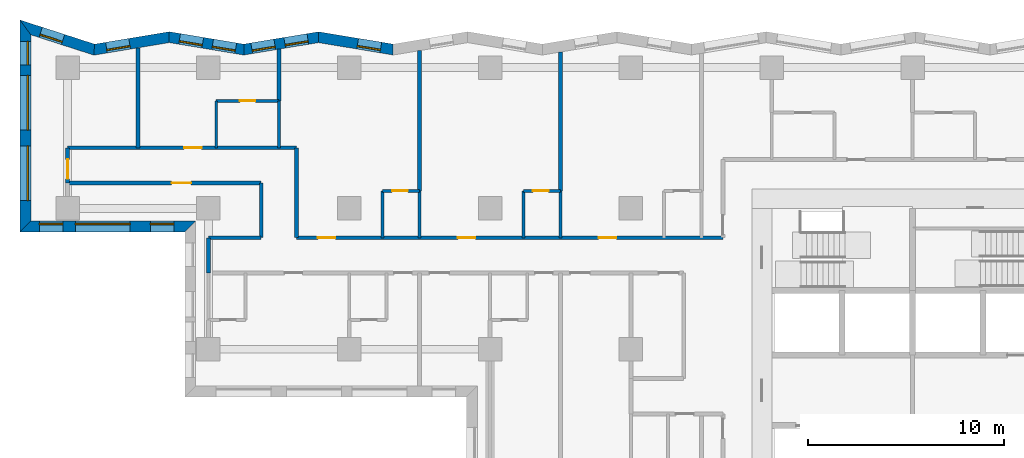
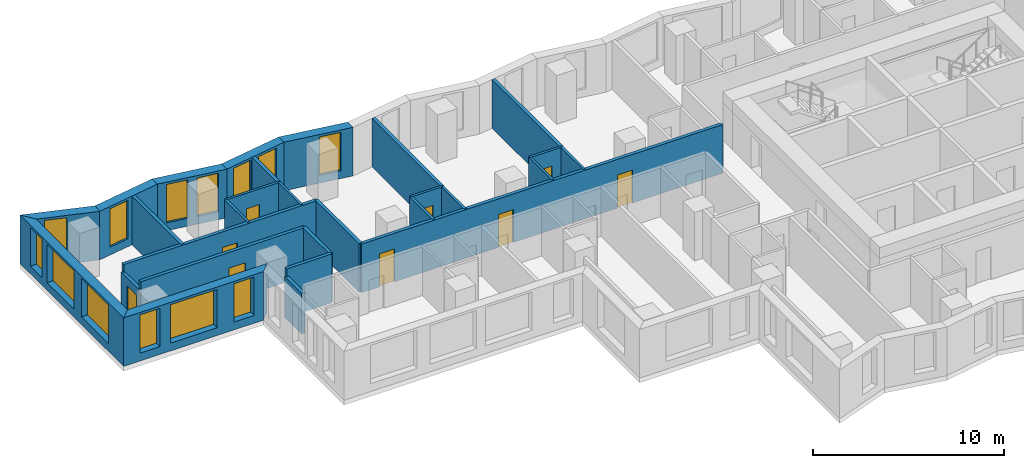
# One storey, part 4 of 13: 28 walls, 13 windows, 9 doors, 22 openings.
"""IFC4 building model written with IfcOpenShell, lengths in metres."""

from ifc_helpers import new_model, si_unit, direction, frame, frame_2d, origin, place, context, subcontext, project, spatial, polyline, rectangle, outline, extrude, material, layer, layer_set, type_object, element, fill, save


model = new_model("IFC4")

# Units and contexts
model_context = context("Model", 3, precision=1e-05, world=origin(), true_north=direction((0.0, 1.0)))
body_context = subcontext(model_context, "Body", "Model", "MODEL_VIEW")
ifc_project = project(units=[si_unit("LENGTHUNIT", "METRE"), si_unit("AREAUNIT", "SQUARE_METRE"), si_unit("VOLUMEUNIT", "CUBIC_METRE"), si_unit("PLANEANGLEUNIT", "RADIAN"), si_unit("MASSUNIT", "GRAM", prefix="KILO")], contexts=[model_context])

# Site, building, storey
site_placement = place(None, origin())
site = spatial("IfcSite", under=ifc_project, at=site_placement, CompositionType="ELEMENT")
building_placement = place(site_placement, origin())
building = spatial("IfcBuilding", under=site, at=building_placement, Name="Windrow Commons", CompositionType="ELEMENT")
storey_placement = place(building_placement, frame((0.0, 0.0, 64.4)))
storey = spatial("IfcBuildingStorey", under=building, at=storey_placement, Name="L17", CompositionType="ELEMENT", Elevation=64.4)

# Wall, opening, window
ifc_material_1 = material(Name="Brick masonry, red clay brick", Category="masonry")
ifc_layer_1 = layer(ifc_material_1, 0.55)
ifc_layer_set_1 = layer_set([ifc_layer_1], Name="Brick facade wall 550")
wall_type_1 = type_object("IfcWallType", Name="Brick facade wall 550", PredefinedType="SOLIDWALL", material=ifc_layer_set_1)
wall_1_placement = place(storey_placement, frame((38.2409, 72.9212, 0.0), z_axis=(0.0, 0.0, 1.0), x_axis=(-0.9865110911, 0.1636944324, 0.0)))
wall_1 = element("IfcWall", 1, at=wall_1_placement, inside=storey, type_object=wall_type_1, Name="Brick facade wall L17 34", PredefinedType="SOLIDWALL", context=body_context, shape_type="SweptSolid", body=[
    extrude(outline(polyline([(0.0456, -0.275), (3.9126, -0.275), (3.8213, 0.275), (-0.0456, 0.275), (0.0456, -0.275)])), origin(), (0.0, 0.0, 1.0), 3.1),
])
opening_1_placement = place(wall_1_placement, frame((0.6358, 0.0, 0.5)))
opening_1 = element("IfcOpeningElement", 2, at=opening_1_placement, cuts=wall_1, Name="Opening W7D", PredefinedType="OPENING", context=body_context, shape_type="SweptSolid", body=[
    extrude(rectangle(XDim=1.2, YDim=2.45, at=frame_2d((0.6, 1.225))), frame((0.0, 0.285, 0.0), z_axis=(0.0, -1.0, 0.0), x_axis=(1.0, 0.0, 0.0)), (0.0, 0.0, 1.0), 0.57),
])
ifc_material_2 = material(Name="Clear float glass in anodised aluminium frame", Category="aluminium")
window_type_1 = type_object("IfcWindowType", Name="Window W7 notch 1200x2450", PartitioningType="SINGLE_PANEL", PredefinedType="WINDOW", material=ifc_material_2)
window_1_placement = place(opening_1_placement, origin())
window_1 = element("IfcWindow", 3, at=window_1_placement, inside=storey, type_object=window_type_1, Name="Window L17 34.1", OverallHeight=2.45, OverallWidth=1.2, PartitioningType="SINGLE_PANEL", PredefinedType="WINDOW", context=body_context, shape_type="SweptSolid", body=[
    extrude(rectangle(XDim=1.2, YDim=2.45, at=frame_2d((0.6, 1.225))), frame((0.0, 0.155, 0.0), z_axis=(0.0, -1.0, 0.0), x_axis=(1.0, 0.0, 0.0)), (0.0, 0.0, 1.0), 0.06),
])
fill(opening_1, window_1)

# Wall, openings, windows
wall_2_placement = place(storey_placement, frame((34.4261, 73.5542, 0.0), z_axis=(0.0, 0.0, 1.0), x_axis=(-0.9865103981, -0.1636986085, 0.0)))
wall_2 = element("IfcWall", 4, at=wall_2_placement, inside=storey, type_object=wall_type_1, Name="Brick facade wall L17 35", PredefinedType="SOLIDWALL", context=body_context, shape_type="SweptSolid", body=[
    extrude(outline(polyline([(-0.0456, -0.275), (3.8213, -0.275), (3.9126, 0.275), (0.0456, 0.275), (-0.0456, -0.275)])), origin(), (0.0, 0.0, 1.0), 3.1),
])
opening_2_placement = place(wall_2_placement, frame((0.5497, 0.0, 0.5)))
opening_2 = element("IfcOpeningElement", 5, at=opening_2_placement, cuts=wall_2, Name="Opening W7D", PredefinedType="OPENING", context=body_context, shape_type="SweptSolid", body=[
    extrude(rectangle(XDim=1.2, YDim=2.45, at=frame_2d((0.6, 1.225))), frame((0.0, 0.285, 0.0), z_axis=(0.0, -1.0, 0.0), x_axis=(1.0, 0.0, 0.0)), (0.0, 0.0, 1.0), 0.57),
])
opening_3_placement = place(wall_2_placement, frame((2.2604, 0.0, 0.5)))
opening_3 = element("IfcOpeningElement", 6, at=opening_3_placement, cuts=wall_2, Name="Opening W7D", PredefinedType="OPENING", context=body_context, shape_type="SweptSolid", body=[
    extrude(rectangle(XDim=1.2, YDim=2.45, at=frame_2d((0.6, 1.225))), frame((0.0, 0.285, 0.0), z_axis=(0.0, -1.0, 0.0), x_axis=(1.0, 0.0, 0.0)), (0.0, 0.0, 1.0), 0.57),
])
window_2_placement = place(opening_2_placement, origin())
window_2 = element("IfcWindow", 7, at=window_2_placement, inside=storey, type_object=window_type_1, Name="Window L17 35.1", OverallHeight=2.45, OverallWidth=1.2, PartitioningType="SINGLE_PANEL", PredefinedType="WINDOW", context=body_context, shape_type="SweptSolid", body=[
    extrude(rectangle(XDim=1.2, YDim=2.45, at=frame_2d((0.6, 1.225))), frame((0.0, 0.155, 0.0), z_axis=(0.0, -1.0, 0.0), x_axis=(1.0, 0.0, 0.0)), (0.0, 0.0, 1.0), 0.06),
])
fill(opening_2, window_2)
window_3_placement = place(opening_3_placement, origin())
window_3 = element("IfcWindow", 8, at=window_3_placement, inside=storey, type_object=window_type_1, Name="Window L17 35.2", OverallHeight=2.45, OverallWidth=1.2, PartitioningType="SINGLE_PANEL", PredefinedType="WINDOW", context=body_context, shape_type="SweptSolid", body=[
    extrude(rectangle(XDim=1.2, YDim=2.45, at=frame_2d((0.6, 1.225))), frame((0.0, 0.155, 0.0), z_axis=(0.0, -1.0, 0.0), x_axis=(1.0, 0.0, 0.0)), (0.0, 0.0, 1.0), 0.06),
])
fill(opening_3, window_3)

wall_3_placement = place(storey_placement, frame((30.6114, 72.9212, 0.0), z_axis=(0.0, 0.0, 1.0), x_axis=(-0.9865110911, 0.1636944324, 0.0)))
wall_3 = element("IfcWall", 9, at=wall_3_placement, inside=storey, type_object=wall_type_1, Name="Brick facade wall L17 36", PredefinedType="SOLIDWALL", context=body_context, shape_type="SweptSolid", body=[
    extrude(outline(polyline([(0.0456, -0.275), (3.9126, -0.275), (3.8213, 0.275), (-0.0456, 0.275), (0.0456, -0.275)])), origin(), (0.0, 0.0, 1.0), 3.1),
])
opening_4_placement = place(wall_3_placement, frame((0.4181, 0.0, 0.5)))
opening_4 = element("IfcOpeningElement", 10, at=opening_4_placement, cuts=wall_3, Name="Opening W7D", PredefinedType="OPENING", context=body_context, shape_type="SweptSolid", body=[
    extrude(rectangle(XDim=1.2, YDim=2.45, at=frame_2d((0.6, 1.225))), frame((0.0, 0.285, 0.0), z_axis=(0.0, -1.0, 0.0), x_axis=(1.0, 0.0, 0.0)), (0.0, 0.0, 1.0), 0.57),
])
opening_5_placement = place(wall_3_placement, frame((2.1287, 0.0, 0.5)))
opening_5 = element("IfcOpeningElement", 11, at=opening_5_placement, cuts=wall_3, Name="Opening W7D", PredefinedType="OPENING", context=body_context, shape_type="SweptSolid", body=[
    extrude(rectangle(XDim=1.2, YDim=2.45, at=frame_2d((0.6, 1.225))), frame((0.0, 0.285, 0.0), z_axis=(0.0, -1.0, 0.0), x_axis=(1.0, 0.0, 0.0)), (0.0, 0.0, 1.0), 0.57),
])
window_4_placement = place(opening_4_placement, origin())
window_4 = element("IfcWindow", 12, at=window_4_placement, inside=storey, type_object=window_type_1, Name="Window L17 36.1", OverallHeight=2.45, OverallWidth=1.2, PartitioningType="SINGLE_PANEL", PredefinedType="WINDOW", context=body_context, shape_type="SweptSolid", body=[
    extrude(rectangle(XDim=1.2, YDim=2.45, at=frame_2d((0.6, 1.225))), frame((0.0, 0.155, 0.0), z_axis=(0.0, -1.0, 0.0), x_axis=(1.0, 0.0, 0.0)), (0.0, 0.0, 1.0), 0.06),
])
fill(opening_4, window_4)
window_5_placement = place(opening_5_placement, origin())
window_5 = element("IfcWindow", 13, at=window_5_placement, inside=storey, type_object=window_type_1, Name="Window L17 36.2", OverallHeight=2.45, OverallWidth=1.2, PartitioningType="SINGLE_PANEL", PredefinedType="WINDOW", context=body_context, shape_type="SweptSolid", body=[
    extrude(rectangle(XDim=1.2, YDim=2.45, at=frame_2d((0.6, 1.225))), frame((0.0, 0.155, 0.0), z_axis=(0.0, -1.0, 0.0), x_axis=(1.0, 0.0, 0.0)), (0.0, 0.0, 1.0), 0.06),
])
fill(opening_5, window_5)

# Wall, opening, window
wall_4_placement = place(storey_placement, frame((26.7966, 73.5542, 0.0), z_axis=(0.0, 0.0, 1.0), x_axis=(-0.9865146039, -0.1636732608, 0.0)))
wall_4 = element("IfcWall", 14, at=wall_4_placement, inside=storey, type_object=wall_type_1, Name="Brick facade wall L17 37", PredefinedType="SOLIDWALL", context=body_context, shape_type="SweptSolid", body=[
    extrude(outline(polyline([(-0.0456, -0.275), (3.8213, -0.275), (3.9551, 0.275), (0.0456, 0.275), (-0.0456, -0.275)])), origin(), (0.0, 0.0, 1.0), 3.1),
])
opening_6_placement = place(wall_4_placement, frame((2.0533, 0.0, 0.5)))
opening_6 = element("IfcOpeningElement", 15, at=opening_6_placement, cuts=wall_4, Name="Opening W7D", PredefinedType="OPENING", context=body_context, shape_type="SweptSolid", body=[
    extrude(rectangle(XDim=1.2, YDim=2.45, at=frame_2d((0.6, 1.225))), frame((0.0, 0.285, 0.0), z_axis=(0.0, -1.0, 0.0), x_axis=(1.0, 0.0, 0.0)), (0.0, 0.0, 1.0), 0.57),
])
window_6_placement = place(opening_6_placement, origin())
window_6 = element("IfcWindow", 16, at=window_6_placement, inside=storey, type_object=window_type_1, Name="Window L17 37.1", OverallHeight=2.45, OverallWidth=1.2, PartitioningType="SINGLE_PANEL", PredefinedType="WINDOW", context=body_context, shape_type="SweptSolid", body=[
    extrude(rectangle(XDim=1.2, YDim=2.45, at=frame_2d((0.6, 1.225))), frame((0.0, 0.155, 0.0), z_axis=(0.0, -1.0, 0.0), x_axis=(1.0, 0.0, 0.0)), (0.0, 0.0, 1.0), 0.06),
])
fill(opening_6, window_6)

wall_5_placement = place(storey_placement, frame((22.9608, 72.9178, 0.0), z_axis=(0.0, 0.0, 1.0), x_axis=(-0.9515343902, 0.3075423616, 0.0)))
wall_5 = element("IfcWall", 17, at=wall_5_placement, inside=storey, type_object=wall_type_1, Name="Brick facade wall L17 38", PredefinedType="SOLIDWALL", context=body_context, shape_type="SweptSolid", body=[
    extrude(outline(polyline([(0.0669, -0.275), (4.076, -0.275), (3.3202, 0.275), (-0.0669, 0.275), (0.0669, -0.275)])), origin(), (0.0, 0.0, 1.0), 3.1),
])
opening_7_placement = place(wall_5_placement, frame((1.6752, 0.0, 0.5)))
opening_7 = element("IfcOpeningElement", 18, at=opening_7_placement, cuts=wall_5, Name="Opening W7D", PredefinedType="OPENING", context=body_context, shape_type="SweptSolid", body=[
    extrude(rectangle(XDim=1.2, YDim=2.45, at=frame_2d((0.6, 1.225))), frame((0.0, 0.285, 0.0), z_axis=(0.0, -1.0, 0.0), x_axis=(1.0, 0.0, 0.0)), (0.0, 0.0, 1.0), 0.57),
])
window_7_placement = place(opening_7_placement, origin())
window_7 = element("IfcWindow", 19, at=window_7_placement, inside=storey, type_object=window_type_1, Name="Window L17 38.1", OverallHeight=2.45, OverallWidth=1.2, PartitioningType="SINGLE_PANEL", PredefinedType="WINDOW", context=body_context, shape_type="SweptSolid", body=[
    extrude(rectangle(XDim=1.2, YDim=2.45, at=frame_2d((0.6, 1.225))), frame((0.0, 0.155, 0.0), z_axis=(0.0, -1.0, 0.0), x_axis=(1.0, 0.0, 0.0)), (0.0, 0.0, 1.0), 0.06),
])
fill(opening_7, window_7)

# Wall, openings, windows
wall_6_placement = place(storey_placement, frame((19.442, 74.0551, 0.0), z_axis=(0.0, 0.0, 1.0), x_axis=(0.0, -1.0, 0.0)))
wall_6 = element("IfcWall", 20, at=wall_6_placement, inside=storey, type_object=wall_type_1, Name="Brick facade wall L17 39", PredefinedType="SOLIDWALL", context=body_context, shape_type="SweptSolid", body=[
    extrude(outline(polyline([(-0.3779, -0.275), (10.4551, -0.275), (9.9051, 0.275), (0.3779, 0.275), (-0.3779, -0.275)])), origin(), (0.0, 0.0, 1.0), 3.1),
])
opening_8_placement = place(wall_6_placement, frame((2.4551, 0.0, 0.5)))
opening_8 = element("IfcOpeningElement", 21, at=opening_8_placement, cuts=wall_6, Name="Opening W1T", PredefinedType="OPENING", context=body_context, shape_type="SweptSolid", body=[
    extrude(rectangle(XDim=2.8, YDim=2.45, at=frame_2d((1.4, 1.225))), frame((0.0, 0.285, 0.0), z_axis=(0.0, -1.0, 0.0), x_axis=(1.0, 0.0, 0.0)), (0.0, 0.0, 1.0), 0.57),
])
opening_9_placement = place(wall_6_placement, frame((6.0551, 0.0, 0.5)))
opening_9 = element("IfcOpeningElement", 22, at=opening_9_placement, cuts=wall_6, Name="Opening W1T", PredefinedType="OPENING", context=body_context, shape_type="SweptSolid", body=[
    extrude(rectangle(XDim=2.8, YDim=2.45, at=frame_2d((1.4, 1.225))), frame((0.0, 0.285, 0.0), z_axis=(0.0, -1.0, 0.0), x_axis=(1.0, 0.0, 0.0)), (0.0, 0.0, 1.0), 0.57),
])
opening_10_placement = place(wall_6_placement, frame((0.7165, 0.0, 0.5)))
opening_10 = element("IfcOpeningElement", 23, at=opening_10_placement, cuts=wall_6, Name="Opening W7D", PredefinedType="OPENING", context=body_context, shape_type="SweptSolid", body=[
    extrude(rectangle(XDim=1.2, YDim=2.45, at=frame_2d((0.6, 1.225))), frame((0.0, 0.285, 0.0), z_axis=(0.0, -1.0, 0.0), x_axis=(1.0, 0.0, 0.0)), (0.0, 0.0, 1.0), 0.57),
])
ifc_material_3 = material(Name="Clear float glass in anodised aluminium frame", Category="aluminium")
window_type_2 = type_object("IfcWindowType", Name="Window W1T bedroom 2800x2450", PartitioningType="SINGLE_PANEL", PredefinedType="WINDOW", material=ifc_material_3)
window_8_placement = place(opening_8_placement, origin())
window_8 = element("IfcWindow", 24, at=window_8_placement, inside=storey, type_object=window_type_2, Name="Window L17 39.1", OverallHeight=2.45, OverallWidth=2.8, PartitioningType="SINGLE_PANEL", PredefinedType="WINDOW", context=body_context, shape_type="SweptSolid", body=[
    extrude(rectangle(XDim=2.8, YDim=2.45, at=frame_2d((1.4, 1.225))), frame((0.0, 0.155, 0.0), z_axis=(0.0, -1.0, 0.0), x_axis=(1.0, 0.0, 0.0)), (0.0, 0.0, 1.0), 0.06),
])
fill(opening_8, window_8)
window_9_placement = place(opening_9_placement, origin())
window_9 = element("IfcWindow", 25, at=window_9_placement, inside=storey, type_object=window_type_2, Name="Window L17 39.2", OverallHeight=2.45, OverallWidth=2.8, PartitioningType="SINGLE_PANEL", PredefinedType="WINDOW", context=body_context, shape_type="SweptSolid", body=[
    extrude(rectangle(XDim=2.8, YDim=2.45, at=frame_2d((1.4, 1.225))), frame((0.0, 0.155, 0.0), z_axis=(0.0, -1.0, 0.0), x_axis=(1.0, 0.0, 0.0)), (0.0, 0.0, 1.0), 0.06),
])
fill(opening_9, window_9)
window_10_placement = place(opening_10_placement, origin())
window_10 = element("IfcWindow", 26, at=window_10_placement, inside=storey, type_object=window_type_1, Name="Window L17 39.3", OverallHeight=2.45, OverallWidth=1.2, PartitioningType="SINGLE_PANEL", PredefinedType="WINDOW", context=body_context, shape_type="SweptSolid", body=[
    extrude(rectangle(XDim=1.2, YDim=2.45, at=frame_2d((0.6, 1.225))), frame((0.0, 0.155, 0.0), z_axis=(0.0, -1.0, 0.0), x_axis=(1.0, 0.0, 0.0)), (0.0, 0.0, 1.0), 0.06),
])
fill(opening_10, window_10)

wall_7_placement = place(storey_placement, frame((19.442, 63.875, 0.0), z_axis=(0.0, 0.0, 1.0), x_axis=(1.0, 0.0, 0.0)))
wall_7 = element("IfcWall", 27, at=wall_7_placement, inside=storey, type_object=wall_type_1, Name="Brick facade wall L17 40", PredefinedType="SOLIDWALL", context=body_context, shape_type="SweptSolid", body=[
    extrude(outline(polyline([(-0.275, -0.275), (8.158, -0.275), (8.708, 0.275), (0.275, 0.275), (-0.275, -0.275)])), origin(), (0.0, 0.0, 1.0), 3.1),
])
opening_11_placement = place(wall_7_placement, frame((2.558, 0.0, 0.5)))
opening_11 = element("IfcOpeningElement", 28, at=opening_11_placement, cuts=wall_7, Name="Opening W1T", PredefinedType="OPENING", context=body_context, shape_type="SweptSolid", body=[
    extrude(rectangle(XDim=2.8, YDim=2.45, at=frame_2d((1.4, 1.225))), frame((0.0, 0.285, 0.0), z_axis=(0.0, -1.0, 0.0), x_axis=(1.0, 0.0, 0.0)), (0.0, 0.0, 1.0), 0.57),
])
opening_12_placement = place(wall_7_placement, frame((0.7165, 0.0, 0.5)))
opening_12 = element("IfcOpeningElement", 29, at=opening_12_placement, cuts=wall_7, Name="Opening W7D", PredefinedType="OPENING", context=body_context, shape_type="SweptSolid", body=[
    extrude(rectangle(XDim=1.2, YDim=2.45, at=frame_2d((0.6, 1.225))), frame((0.0, 0.285, 0.0), z_axis=(0.0, -1.0, 0.0), x_axis=(1.0, 0.0, 0.0)), (0.0, 0.0, 1.0), 0.57),
])
opening_13_placement = place(wall_7_placement, frame((6.3955, 0.0, 0.5)))
opening_13 = element("IfcOpeningElement", 30, at=opening_13_placement, cuts=wall_7, Name="Opening W7D", PredefinedType="OPENING", context=body_context, shape_type="SweptSolid", body=[
    extrude(rectangle(XDim=1.2, YDim=2.45, at=frame_2d((0.6, 1.225))), frame((0.0, 0.285, 0.0), z_axis=(0.0, -1.0, 0.0), x_axis=(1.0, 0.0, 0.0)), (0.0, 0.0, 1.0), 0.57),
])
window_11_placement = place(opening_11_placement, origin())
window_11 = element("IfcWindow", 31, at=window_11_placement, inside=storey, type_object=window_type_2, Name="Window L17 40.1", OverallHeight=2.45, OverallWidth=2.8, PartitioningType="SINGLE_PANEL", PredefinedType="WINDOW", context=body_context, shape_type="SweptSolid", body=[
    extrude(rectangle(XDim=2.8, YDim=2.45, at=frame_2d((1.4, 1.225))), frame((0.0, 0.155, 0.0), z_axis=(0.0, -1.0, 0.0), x_axis=(1.0, 0.0, 0.0)), (0.0, 0.0, 1.0), 0.06),
])
fill(opening_11, window_11)
window_12_placement = place(opening_12_placement, origin())
window_12 = element("IfcWindow", 32, at=window_12_placement, inside=storey, type_object=window_type_1, Name="Window L17 40.2", OverallHeight=2.45, OverallWidth=1.2, PartitioningType="SINGLE_PANEL", PredefinedType="WINDOW", context=body_context, shape_type="SweptSolid", body=[
    extrude(rectangle(XDim=1.2, YDim=2.45, at=frame_2d((0.6, 1.225))), frame((0.0, 0.155, 0.0), z_axis=(0.0, -1.0, 0.0), x_axis=(1.0, 0.0, 0.0)), (0.0, 0.0, 1.0), 0.06),
])
fill(opening_12, window_12)
window_13_placement = place(opening_13_placement, origin())
window_13 = element("IfcWindow", 33, at=window_13_placement, inside=storey, type_object=window_type_1, Name="Window L17 40.3", OverallHeight=2.45, OverallWidth=1.2, PartitioningType="SINGLE_PANEL", PredefinedType="WINDOW", context=body_context, shape_type="SweptSolid", body=[
    extrude(rectangle(XDim=1.2, YDim=2.45, at=frame_2d((0.6, 1.225))), frame((0.0, 0.155, 0.0), z_axis=(0.0, -1.0, 0.0), x_axis=(1.0, 0.0, 0.0)), (0.0, 0.0, 1.0), 0.06),
])
fill(opening_13, window_13)

# Wall, openings, doors
ifc_material_4 = material(Name="Blockwork partition", Category="masonry")
ifc_layer_2 = layer(ifc_material_4, 0.2)
ifc_layer_set_2 = layer_set([ifc_layer_2], Name="IW-CORRIDOR-200")
wall_type_2 = type_object("IfcWallType", Name="IW-CORRIDOR-200", PredefinedType="PARTITIONING", material=ifc_layer_set_2)
wall_8_placement = place(storey_placement, frame((33.302, 63.3, 0.0), z_axis=(0.0, 0.0, 1.0), x_axis=(1.0, 0.0, 0.0)))
wall_8 = element("IfcWall", 34, at=wall_8_placement, inside=storey, type_object=wall_type_2, Name="W-L17-W001", PredefinedType="PARTITIONING", context=body_context, shape_type="SweptSolid", body=[
    extrude(rectangle(XDim=21.798, YDim=0.2, at=frame_2d((10.899, 0.0))), origin(), (0.0, 0.0, 1.0), 3.1),
])
opening_14_placement = place(wall_8_placement, frame((1.0908, 0.0, 0.0)))
opening_14 = element("IfcOpeningElement", 35, at=opening_14_placement, cuts=wall_8, Name="Opening D109F", PredefinedType="OPENING", context=body_context, shape_type="SweptSolid", body=[
    extrude(rectangle(XDim=0.9, YDim=2.1, at=frame_2d((0.45, 1.05))), frame((0.0, 0.11, 0.0), z_axis=(0.0, -1.0, 0.0), x_axis=(1.0, 0.0, 0.0)), (0.0, 0.0, 1.0), 0.22),
])
opening_15_placement = place(wall_8_placement, frame((8.2483, 0.0, 0.0)))
opening_15 = element("IfcOpeningElement", 36, at=opening_15_placement, cuts=wall_8, Name="Opening D109F", PredefinedType="OPENING", context=body_context, shape_type="SweptSolid", body=[
    extrude(rectangle(XDim=0.9, YDim=2.1, at=frame_2d((0.45, 1.05))), frame((0.0, 0.11, 0.0), z_axis=(0.0, -1.0, 0.0), x_axis=(1.0, 0.0, 0.0)), (0.0, 0.0, 1.0), 0.22),
])
opening_16_placement = place(wall_8_placement, frame((15.4483, 0.0, 0.0)))
opening_16 = element("IfcOpeningElement", 37, at=opening_16_placement, cuts=wall_8, Name="Opening D109F", PredefinedType="OPENING", context=body_context, shape_type="SweptSolid", body=[
    extrude(rectangle(XDim=0.9, YDim=2.1, at=frame_2d((0.45, 1.05))), frame((0.0, 0.11, 0.0), z_axis=(0.0, -1.0, 0.0), x_axis=(1.0, 0.0, 0.0)), (0.0, 0.0, 1.0), 0.22),
])
ifc_material_5 = material(Name="Timber door leaf", Category="wood")
door_type_1 = type_object("IfcDoorType", Name="DT-BEDROOM-900", OperationType="SINGLE_SWING_LEFT", PredefinedType="DOOR", material=ifc_material_5)
door_1_placement = place(opening_14_placement, origin())
door_1 = element("IfcDoor", 38, at=door_1_placement, inside=storey, type_object=door_type_1, Name="D-L17-D009", OperationType="SINGLE_SWING_LEFT", OverallHeight=2.1, OverallWidth=0.9, PredefinedType="DOOR", context=body_context, shape_type="SweptSolid", body=[
    extrude(rectangle(XDim=0.9, YDim=2.1, at=frame_2d((0.45, 1.05))), frame((0.0, 0.025, 0.0), z_axis=(0.0, -1.0, 0.0), x_axis=(1.0, 0.0, 0.0)), (0.0, 0.0, 1.0), 0.05),
])
fill(opening_14, door_1)
door_2_placement = place(opening_15_placement, origin())
door_2 = element("IfcDoor", 39, at=door_2_placement, inside=storey, type_object=door_type_1, Name="D-L17-D011", OperationType="SINGLE_SWING_LEFT", OverallHeight=2.1, OverallWidth=0.9, PredefinedType="DOOR", context=body_context, shape_type="SweptSolid", body=[
    extrude(rectangle(XDim=0.9, YDim=2.1, at=frame_2d((0.45, 1.05))), frame((0.0, 0.025, 0.0), z_axis=(0.0, -1.0, 0.0), x_axis=(1.0, 0.0, 0.0)), (0.0, 0.0, 1.0), 0.05),
])
fill(opening_15, door_2)
door_3_placement = place(opening_16_placement, origin())
door_3 = element("IfcDoor", 40, at=door_3_placement, inside=storey, type_object=door_type_1, Name="D-L17-D013", OperationType="SINGLE_SWING_LEFT", OverallHeight=2.1, OverallWidth=0.9, PredefinedType="DOOR", context=body_context, shape_type="SweptSolid", body=[
    extrude(rectangle(XDim=0.9, YDim=2.1, at=frame_2d((0.45, 1.05))), frame((0.0, 0.025, 0.0), z_axis=(0.0, -1.0, 0.0), x_axis=(1.0, 0.0, 0.0)), (0.0, 0.0, 1.0), 0.05),
])
fill(opening_16, door_3)

# Wall, opening, door
wall_9_placement = place(storey_placement, frame((21.602, 67.9, 0.0), z_axis=(0.0, 0.0, 1.0), x_axis=(1.0, 0.0, 0.0)))
wall_9 = element("IfcWall", 41, at=wall_9_placement, inside=storey, type_object=wall_type_2, Name="W-L17-W009", PredefinedType="PARTITIONING", context=body_context, shape_type="SweptSolid", body=[
    extrude(rectangle(XDim=11.698, YDim=0.2, at=frame_2d((5.849, 0.0))), origin(), (0.0, 0.0, 1.0), 3.1),
])
opening_17_placement = place(wall_9_placement, frame((5.955, 0.0, 0.0)))
opening_17 = element("IfcOpeningElement", 42, at=opening_17_placement, cuts=wall_9, Name="Opening D109F", PredefinedType="OPENING", context=body_context, shape_type="SweptSolid", body=[
    extrude(rectangle(XDim=0.9, YDim=2.1, at=frame_2d((0.45, 1.05))), frame((0.0, 0.11, 0.0), z_axis=(0.0, -1.0, 0.0), x_axis=(1.0, 0.0, 0.0)), (0.0, 0.0, 1.0), 0.22),
])
door_4_placement = place(opening_17_placement, origin())
door_4 = element("IfcDoor", 43, at=door_4_placement, inside=storey, type_object=door_type_1, Name="D-L17-D003", OperationType="SINGLE_SWING_LEFT", OverallHeight=2.1, OverallWidth=0.9, PredefinedType="DOOR", context=body_context, shape_type="SweptSolid", body=[
    extrude(rectangle(XDim=0.9, YDim=2.1, at=frame_2d((0.45, 1.05))), frame((0.0, 0.025, 0.0), z_axis=(0.0, -1.0, 0.0), x_axis=(1.0, 0.0, 0.0)), (0.0, 0.0, 1.0), 0.05),
])
fill(opening_17, door_4)

wall_10_placement = place(storey_placement, frame((21.6, 66.1, 0.0), z_axis=(0.0, 0.0, 1.0), x_axis=(1.0, 0.0, 0.0)))
wall_10 = element("IfcWall", 44, at=wall_10_placement, inside=storey, type_object=wall_type_2, Name="W-L17-W011", PredefinedType="PARTITIONING", context=body_context, shape_type="SweptSolid", body=[
    extrude(rectangle(XDim=9.9, YDim=0.2, at=frame_2d((4.95, 0.0))), origin(), (0.0, 0.0, 1.0), 3.1),
])
opening_18_placement = place(wall_10_placement, frame((5.3136, 0.0, 0.0)))
opening_18 = element("IfcOpeningElement", 45, at=opening_18_placement, cuts=wall_10, Name="Opening D310F", PredefinedType="OPENING", context=body_context, shape_type="SweptSolid", body=[
    extrude(rectangle(XDim=1.0, YDim=2.1, at=frame_2d((0.5, 1.05))), frame((0.0, 0.11, 0.0), z_axis=(0.0, -1.0, 0.0), x_axis=(1.0, 0.0, 0.0)), (0.0, 0.0, 1.0), 0.22),
])
ifc_material_6 = material(Name="Timber door leaf", Category="wood")
door_type_2 = type_object("IfcDoorType", Name="DT-AMENITY-1000", OperationType="SINGLE_SWING_LEFT", PredefinedType="DOOR", material=ifc_material_6)
door_5_placement = place(opening_18_placement, origin())
door_5 = element("IfcDoor", 46, at=door_5_placement, inside=storey, type_object=door_type_2, Name="D-L17-D002", OperationType="SINGLE_SWING_LEFT", OverallHeight=2.1, OverallWidth=1.0, PredefinedType="DOOR", context=body_context, shape_type="SweptSolid", body=[
    extrude(rectangle(XDim=1.0, YDim=2.1, at=frame_2d((0.5, 1.05))), frame((0.0, 0.025, 0.0), z_axis=(0.0, -1.0, 0.0), x_axis=(1.0, 0.0, 0.0)), (0.0, 0.0, 1.0), 0.05),
])
fill(opening_18, door_5)

# Walls
wall_11_placement = place(storey_placement, frame((33.3, 63.302, 0.0), z_axis=(0.0, 0.0, 1.0), x_axis=(0.0, 1.0, 0.0)))
element("IfcWall", 47, at=wall_11_placement, inside=storey, type_object=wall_type_2, Name="W-L17-W043", PredefinedType="PARTITIONING", context=body_context, shape_type="SweptSolid", body=[
    extrude(rectangle(XDim=4.598, YDim=0.2, at=frame_2d((2.299, 0.0))), origin(), (0.0, 0.0, 1.0), 3.1),
])
wall_12_placement = place(storey_placement, frame((31.5, 63.302, 0.0), z_axis=(0.0, 0.0, 1.0), x_axis=(0.0, 1.0, 0.0)))
element("IfcWall", 48, at=wall_12_placement, inside=storey, type_object=wall_type_2, Name="W-L17-W065", PredefinedType="PARTITIONING", context=body_context, shape_type="SweptSolid", body=[
    extrude(rectangle(XDim=2.798, YDim=0.2, at=frame_2d((1.399, 0.0))), origin(), (0.0, 0.0, 1.0), 3.1),
])
wall_13_placement = place(storey_placement, frame((28.802, 63.3, 0.0), z_axis=(0.0, 0.0, 1.0), x_axis=(1.0, 0.0, 0.0)))
element("IfcWall", 49, at=wall_13_placement, inside=storey, type_object=wall_type_2, Name="W-L17-W067", PredefinedType="PARTITIONING", context=body_context, shape_type="SweptSolid", body=[
    extrude(rectangle(XDim=2.698, YDim=0.2, at=frame_2d((1.349, 0.0))), origin(), (0.0, 0.0, 1.0), 3.1),
])

# Wall, opening, door
wall_14_placement = place(storey_placement, frame((21.6, 66.1, 0.0), z_axis=(0.0, 0.0, 1.0), x_axis=(0.0, 1.0, 0.0)))
wall_14 = element("IfcWall", 50, at=wall_14_placement, inside=storey, type_object=wall_type_2, Name="W-L17-W131", PredefinedType="PARTITIONING", context=body_context, shape_type="SweptSolid", body=[
    extrude(rectangle(XDim=1.8, YDim=0.2, at=frame_2d((0.9, 0.0))), origin(), (0.0, 0.0, 1.0), 2.6),
])
opening_19_placement = place(wall_14_placement, frame((0.2066, 0.0, 0.0)))
opening_19 = element("IfcOpeningElement", 51, at=opening_19_placement, cuts=wall_14, Name="Opening D310F", PredefinedType="OPENING", context=body_context, shape_type="SweptSolid", body=[
    extrude(rectangle(XDim=1.0, YDim=2.1, at=frame_2d((0.5, 1.05))), frame((0.0, 0.11, 0.0), z_axis=(0.0, -1.0, 0.0), x_axis=(1.0, 0.0, 0.0)), (0.0, 0.0, 1.0), 0.22),
])
door_6_placement = place(opening_19_placement, origin())
door_6 = element("IfcDoor", 52, at=door_6_placement, inside=storey, type_object=door_type_2, Name="D-L17-D001", OperationType="SINGLE_SWING_RIGHT", OverallHeight=2.1, OverallWidth=1.0, PredefinedType="DOOR", context=body_context, shape_type="SweptSolid", body=[
    extrude(rectangle(XDim=1.0, YDim=2.1, at=frame_2d((0.5, 1.05))), frame((0.0, 0.025, 0.0), z_axis=(0.0, -1.0, 0.0), x_axis=(1.0, 0.0, 0.0)), (0.0, 0.0, 1.0), 0.05),
])
fill(opening_19, door_6)

# Wall
wall_15_placement = place(storey_placement, frame((28.8, 61.5, 0.0), z_axis=(0.0, 0.0, 1.0), x_axis=(0.0, 1.0, 0.0)))
element("IfcWall", 53, at=wall_15_placement, inside=storey, type_object=wall_type_2, Name="W-L17-W133", PredefinedType="PARTITIONING", context=body_context, shape_type="SweptSolid", body=[
    extrude(rectangle(XDim=1.8, YDim=0.2, at=frame_2d((0.9, 0.0))), origin(), (0.0, 0.0, 1.0), 2.6),
])

# Wall, opening, door
ifc_material_7 = material(Name="Blockwork partition", Category="masonry")
ifc_layer_3 = layer(ifc_material_7, 0.15)
ifc_layer_set_3 = layer_set([ifc_layer_3], Name="IW-ENSUITE-150")
wall_type_3 = type_object("IfcWallType", Name="IW-ENSUITE-150", PredefinedType="PARTITIONING", material=ifc_layer_set_3)
wall_16_placement = place(storey_placement, frame((29.2, 70.3, 0.0), z_axis=(0.0, 0.0, 1.0), x_axis=(1.0, 0.0, 0.0)))
wall_16 = element("IfcWall", 54, at=wall_16_placement, inside=storey, type_object=wall_type_3, Name="W-L17-W061", PredefinedType="PARTITIONING", context=body_context, shape_type="SweptSolid", body=[
    extrude(rectangle(XDim=3.2, YDim=0.15, at=frame_2d((1.6, 0.0))), origin(), (0.0, 0.0, 1.0), 3.1),
])
opening_20_placement = place(wall_16_placement, frame((1.2042, 0.0, 0.0)))
opening_20 = element("IfcOpeningElement", 55, at=opening_20_placement, cuts=wall_16, Name="Opening D208N", PredefinedType="OPENING", context=body_context, shape_type="SweptSolid", body=[
    extrude(rectangle(XDim=0.8, YDim=2.1, at=frame_2d((0.4, 1.05))), frame((0.0, 0.085, 0.0), z_axis=(0.0, -1.0, 0.0), x_axis=(1.0, 0.0, 0.0)), (0.0, 0.0, 1.0), 0.17),
])
ifc_material_8 = material(Name="Timber door leaf", Category="wood")
door_type_3 = type_object("IfcDoorType", Name="DT-ENSUITE-800", OperationType="SINGLE_SWING_LEFT", PredefinedType="DOOR", material=ifc_material_8)
door_7_placement = place(opening_20_placement, origin())
door_7 = element("IfcDoor", 56, at=door_7_placement, inside=storey, type_object=door_type_3, Name="D-L17-D004", OperationType="SINGLE_SWING_RIGHT", OverallHeight=2.1, OverallWidth=0.8, PredefinedType="DOOR", context=body_context, shape_type="SweptSolid", body=[
    extrude(rectangle(XDim=0.8, YDim=2.1, at=frame_2d((0.4, 1.05))), frame((0.0, 0.025, 0.0), z_axis=(0.0, -1.0, 0.0), x_axis=(1.0, 0.0, 0.0)), (0.0, 0.0, 1.0), 0.05),
])
fill(opening_20, door_7)

# Walls
for number, where, z_axis, x_axis, name in (
    (57, (37.7, 63.3, 0.0), (0.0, 0.0, 1.0), (0.0, 1.0, 0.0), "W-L17-W074"),
    (58, (39.6, 63.3, 0.0), (0.0, 0.0, 1.0), (0.0, 1.0, 0.0), "W-L17-W075"),
    (59, (44.9, 63.3, 0.0), (0.0, 0.0, 1.0), (0.0, 1.0, 0.0), "W-L17-W076"),
    (60, (46.8, 63.3, 0.0), (0.0, 0.0, 1.0), (0.0, 1.0, 0.0), "W-L17-W077"),
    (61, (29.2, 67.9, 0.0), (0.0, 0.0, 1.0), (0.0, 1.0, 0.0), "W-L17-W096"),
    (62, (32.4, 67.9, 0.0), (0.0, 0.0, 1.0), (0.0, 1.0, 0.0), "W-L17-W097"),
):
    element("IfcWall", number, at=place(storey_placement, frame(where, z_axis=z_axis, x_axis=x_axis)), inside=storey, type_object=wall_type_3, Name=name, PredefinedType="PARTITIONING", context=body_context, shape_type="SweptSolid", body=[
        extrude(rectangle(XDim=2.4, YDim=0.15, at=frame_2d((1.2, 0.0))), origin(), (0.0, 0.0, 1.0), 3.1),
    ])

# Wall, opening, door
wall_17_placement = place(storey_placement, frame((37.7, 65.7, 0.0), z_axis=(0.0, 0.0, 1.0), x_axis=(1.0, 0.0, 0.0)))
wall_17 = element("IfcWall", 63, at=wall_17_placement, inside=storey, type_object=wall_type_3, Name="W-L17-W120", PredefinedType="PARTITIONING", context=body_context, shape_type="SweptSolid", body=[
    extrude(rectangle(XDim=1.9, YDim=0.15, at=frame_2d((0.95, 0.0))), origin(), (0.0, 0.0, 1.0), 3.1),
])
opening_21_placement = place(wall_17_placement, frame((0.4931, 0.0, 0.0)))
opening_21 = element("IfcOpeningElement", 64, at=opening_21_placement, cuts=wall_17, Name="Opening D208N", PredefinedType="OPENING", context=body_context, shape_type="SweptSolid", body=[
    extrude(rectangle(XDim=0.8, YDim=2.1, at=frame_2d((0.4, 1.05))), frame((0.0, 0.085, 0.0), z_axis=(0.0, -1.0, 0.0), x_axis=(1.0, 0.0, 0.0)), (0.0, 0.0, 1.0), 0.17),
])
door_8_placement = place(opening_21_placement, origin())
door_8 = element("IfcDoor", 65, at=door_8_placement, inside=storey, type_object=door_type_3, Name="D-L17-D010", OperationType="SINGLE_SWING_RIGHT", OverallHeight=2.1, OverallWidth=0.8, PredefinedType="DOOR", context=body_context, shape_type="SweptSolid", body=[
    extrude(rectangle(XDim=0.8, YDim=2.1, at=frame_2d((0.4, 1.05))), frame((0.0, 0.025, 0.0), z_axis=(0.0, -1.0, 0.0), x_axis=(1.0, 0.0, 0.0)), (0.0, 0.0, 1.0), 0.05),
])
fill(opening_21, door_8)

wall_18_placement = place(storey_placement, frame((44.9, 65.7, 0.0), z_axis=(0.0, 0.0, 1.0), x_axis=(1.0, 0.0, 0.0)))
wall_18 = element("IfcWall", 66, at=wall_18_placement, inside=storey, type_object=wall_type_3, Name="W-L17-W121", PredefinedType="PARTITIONING", context=body_context, shape_type="SweptSolid", body=[
    extrude(rectangle(XDim=1.9, YDim=0.15, at=frame_2d((0.95, 0.0))), origin(), (0.0, 0.0, 1.0), 3.1),
])
opening_22_placement = place(wall_18_placement, frame((0.4931, 0.0, 0.0)))
opening_22 = element("IfcOpeningElement", 67, at=opening_22_placement, cuts=wall_18, Name="Opening D208N", PredefinedType="OPENING", context=body_context, shape_type="SweptSolid", body=[
    extrude(rectangle(XDim=0.8, YDim=2.1, at=frame_2d((0.4, 1.05))), frame((0.0, 0.085, 0.0), z_axis=(0.0, -1.0, 0.0), x_axis=(1.0, 0.0, 0.0)), (0.0, 0.0, 1.0), 0.17),
])
door_9_placement = place(opening_22_placement, origin())
door_9 = element("IfcDoor", 68, at=door_9_placement, inside=storey, type_object=door_type_3, Name="D-L17-D012", OperationType="SINGLE_SWING_RIGHT", OverallHeight=2.1, OverallWidth=0.8, PredefinedType="DOOR", context=body_context, shape_type="SweptSolid", body=[
    extrude(rectangle(XDim=0.8, YDim=2.1, at=frame_2d((0.4, 1.05))), frame((0.0, 0.025, 0.0), z_axis=(0.0, -1.0, 0.0), x_axis=(1.0, 0.0, 0.0)), (0.0, 0.0, 1.0), 0.05),
])
fill(opening_22, door_9)

# Walls
ifc_material_9 = material(Name="Blockwork partition", Category="masonry")
ifc_layer_4 = layer(ifc_material_9, 0.2)
ifc_layer_set_4 = layer_set([ifc_layer_4], Name="IW-PARTY-200")
wall_type_4 = type_object("IfcWallType", Name="IW-PARTY-200", PredefinedType="PARTITIONING", material=ifc_layer_set_4)
wall_19_placement = place(storey_placement, frame((39.6, 65.7, 0.0), z_axis=(0.0, 0.0, 1.0), x_axis=(0.0, 1.0, 0.0)))
element("IfcWall", 69, at=wall_19_placement, inside=storey, type_object=wall_type_4, Name="W-L17-W022", PredefinedType="PARTITIONING", context=body_context, shape_type="SweptSolid", body=[
    extrude(rectangle(XDim=7.168, YDim=0.2, at=frame_2d((3.584, 0.0))), origin(), (0.0, 0.0, 1.0), 3.1),
])
wall_20_placement = place(storey_placement, frame((46.8, 65.7, 0.0), z_axis=(0.0, 0.0, 1.0), x_axis=(0.0, 1.0, 0.0)))
element("IfcWall", 70, at=wall_20_placement, inside=storey, type_object=wall_type_4, Name="W-L17-W023", PredefinedType="PARTITIONING", context=body_context, shape_type="SweptSolid", body=[
    extrude(rectangle(XDim=7.0967, YDim=0.2, at=frame_2d((3.5484, 0.0))), origin(), (0.0, 0.0, 1.0), 3.1),
])
wall_21_placement = place(storey_placement, frame((25.2, 67.9, 0.0), z_axis=(0.0, 0.0, 1.0), x_axis=(0.0, 1.0, 0.0)))
element("IfcWall", 71, at=wall_21_placement, inside=storey, type_object=wall_type_4, Name="W-L17-W037", PredefinedType="PARTITIONING", context=body_context, shape_type="SweptSolid", body=[
    extrude(rectangle(XDim=5.1106, YDim=0.2, at=frame_2d((2.5553, 0.0))), origin(), (0.0, 0.0, 1.0), 3.1),
])
wall_22_placement = place(storey_placement, frame((32.4, 70.3, 0.0), z_axis=(0.0, 0.0, 1.0), x_axis=(0.0, 1.0, 0.0)))
element("IfcWall", 72, at=wall_22_placement, inside=storey, type_object=wall_type_4, Name="W-L17-W068", PredefinedType="PARTITIONING", context=body_context, shape_type="SweptSolid", body=[
    extrude(rectangle(XDim=2.6393, YDim=0.2, at=frame_2d((1.3196, 0.0))), origin(), (0.0, 0.0, 1.0), 3.1),
])

save(model, "model.ifc")
